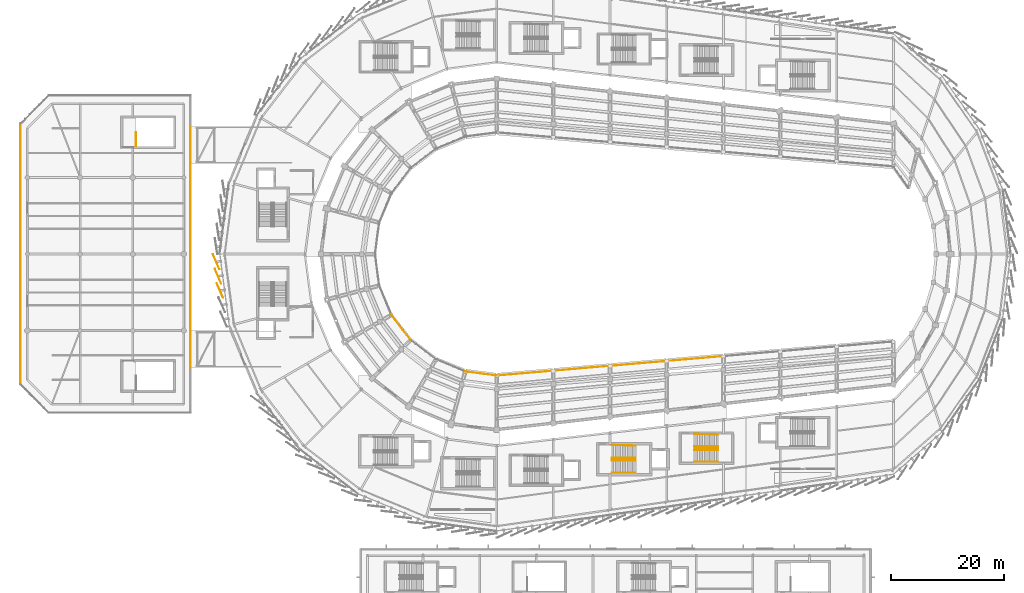
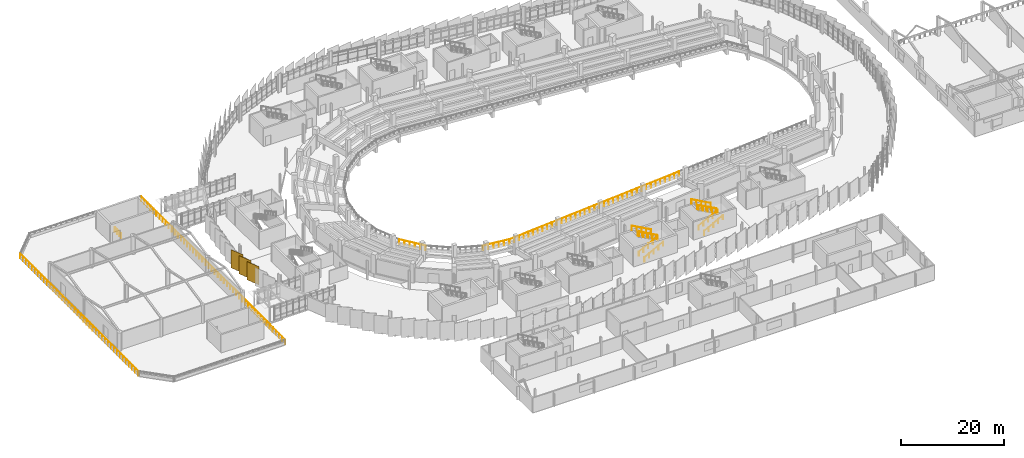
# One storey, part 113 of 120: 19 railings, 3 coverings.
"""IFC4 building model written with IfcOpenShell, lengths in metres."""

from ifc_helpers import new_model, si_unit, direction, frame, origin, origin_2d, place, context, subcontext, project, spatial, rectangle, circle, extrude, material, layer, layer_set, type_object, element, save


model = new_model("IFC4")

# Units and contexts
model_context = context("Model", 3, precision=1e-05, world=origin(), true_north=direction((0.0, 1.0)))
body_context = subcontext(model_context, "Body", "Model", "MODEL_VIEW")
ifc_project = project(units=[si_unit("LENGTHUNIT", "METRE"), si_unit("AREAUNIT", "SQUARE_METRE"), si_unit("VOLUMEUNIT", "CUBIC_METRE"), si_unit("PLANEANGLEUNIT", "RADIAN"), si_unit("MASSUNIT", "GRAM", prefix="KILO")], contexts=[model_context])

# Site, building, storey
site_placement = place(None, origin())
site = spatial("IfcSite", under=ifc_project, at=site_placement, CompositionType="ELEMENT")
building_placement = place(site_placement, origin())
building = spatial("IfcBuilding", under=site, at=building_placement, Name="Sohan Crest Arena", CompositionType="ELEMENT")
storey_placement = place(building_placement, frame((0.0, 0.0, 13.5)))
storey = spatial("IfcBuildingStorey", under=building, at=storey_placement, Name="L03", CompositionType="ELEMENT", Elevation=13.5)

# Railings
ifc_material_1 = material(Name="Powder-coated wrought steel balustrade", Category="steel")
railing_type_1 = type_object("IfcRailingType", Name="ARC-GRD-01", PredefinedType="GUARDRAIL", material=ifc_material_1)
railing_1_placement = place(storey_placement, frame((122.530029296875, 41.800048828125, 2.25)))
element("IfcRailing", 1, at=railing_1_placement, inside=storey, type_object=railing_type_1, Name="Stair well slot guard GRD-044", PredefinedType="GUARDRAIL", context=body_context, shape_type="SweptSolid", body=[
    extrude(circle(Radius=0.02392578125, at=origin_2d()), frame((0.0, 0.0, 1.076171875), z_axis=(-0.87313487534, 0.0, 0.487478706678), x_axis=(0.0, -1.0, 0.0)), (0.0, 0.0, 1.0), 4.615478515625),
    extrude(circle(Radius=0.02099609375, at=origin_2d()), origin(), (0.0, 0.0, 1.0), 1.052001953125),
    extrude(circle(Radius=0.02099609375, at=origin_2d()), frame((-1.007568359375, 0.0, 0.5625)), (0.0, 0.0, 1.0), 1.052001953125),
    extrude(circle(Radius=0.02099609375, at=origin_2d()), frame((-2.01513671875, 0.0, 1.125)), (0.0, 0.0, 1.0), 1.052001953125),
    extrude(circle(Radius=0.02099609375, at=origin_2d()), frame((-3.0224609375, 0.0, 1.6875)), (0.0, 0.0, 1.0), 1.052001953125),
    extrude(circle(Radius=0.02099609375, at=origin_2d()), frame((-4.030029296875, 0.0, 2.25)), (0.0, 0.0, 1.0), 1.052001953125),
])
railing_2_placement = place(storey_placement, frame((34.3701171875, 97.02001953125, 0.0)))
element("IfcRailing", 2, at=railing_2_placement, inside=storey, type_object=railing_type_1, Name="Top stair landing well guard GRD-078", PredefinedType="GUARDRAIL", context=body_context, shape_type="SweptSolid", body=[
    extrude(circle(Radius=0.02392578125, at=origin_2d()), frame((0.0, 0.0, 1.076171875), z_axis=(0.0, 1.0, 0.0), x_axis=(-1.0, 0.0, 0.0)), (0.0, 0.0, 1.0), 2.4599609375),
    extrude(circle(Radius=0.02099609375, at=origin_2d()), origin(), (0.0, 0.0, 1.0), 1.052001953125),
    extrude(circle(Radius=0.02099609375, at=origin_2d()), frame((0.0, 0.820068359375, 0.0)), (0.0, 0.0, 1.0), 1.052001953125),
    extrude(circle(Radius=0.02099609375, at=origin_2d()), frame((0.0, 1.639892578125, 0.0)), (0.0, 0.0, 1.0), 1.052001953125),
    extrude(circle(Radius=0.02099609375, at=origin_2d()), frame((0.0, 2.4599609375, 0.0)), (0.0, 0.0, 1.0), 1.052001953125),
])
railing_3_placement = place(storey_placement, frame((137.030029296875, 43.75, 2.25)))
element("IfcRailing", 3, at=railing_3_placement, inside=storey, type_object=railing_type_1, Name="Stair well slot guard GRD-115", PredefinedType="GUARDRAIL", context=body_context, shape_type="SweptSolid", body=[
    extrude(circle(Radius=0.02392578125, at=origin_2d()), frame((0.0, 0.0, 1.076171875), z_axis=(-0.87313487534, 0.0, 0.487478706678), x_axis=(0.0, -1.0, 0.0)), (0.0, 0.0, 1.0), 4.615478515625),
    extrude(circle(Radius=0.02099609375, at=origin_2d()), origin(), (0.0, 0.0, 1.0), 1.052001953125),
    extrude(circle(Radius=0.02099609375, at=origin_2d()), frame((-1.007568359375, 0.0, 0.5625)), (0.0, 0.0, 1.0), 1.052001953125),
    extrude(circle(Radius=0.02099609375, at=origin_2d()), frame((-2.01513671875, 0.0, 1.125)), (0.0, 0.0, 1.0), 1.052001953125),
    extrude(circle(Radius=0.02099609375, at=origin_2d()), frame((-3.0224609375, 0.0, 1.6875)), (0.0, 0.0, 1.0), 1.052001953125),
    extrude(circle(Radius=0.02099609375, at=origin_2d()), frame((-4.030029296875, 0.0, 2.25)), (0.0, 0.0, 1.0), 1.052001953125),
])
railing_4_placement = place(storey_placement, frame((44.0, 50.0400390625, 0.0)))
element("IfcRailing", 4, at=railing_4_placement, inside=storey, type_object=railing_type_1, Name="Foyer roof garden balustrade GRD-295", PredefinedType="GUARDRAIL", context=body_context, shape_type="SweptSolid", body=[
    extrude(circle(Radius=0.02392578125, at=origin_2d()), frame((0.0, 0.0, 1.076171875), z_axis=(0.0, 1.0, 0.0), x_axis=(-1.0, 0.0, 0.0)), (0.0, 0.0, 1.0), 55.919921875),
    extrude(circle(Radius=0.02099609375, at=origin_2d()), origin(), (0.0, 0.0, 1.0), 1.052001953125),
    extrude(circle(Radius=0.02099609375, at=origin_2d()), frame((0.0, 1.189697265625, 0.0)), (0.0, 0.0, 1.0), 1.052001953125),
    extrude(circle(Radius=0.02099609375, at=origin_2d()), frame((0.0, 2.379638671875, 0.0)), (0.0, 0.0, 1.0), 1.052001953125),
    extrude(circle(Radius=0.02099609375, at=origin_2d()), frame((0.0, 3.5693359375, 0.0)), (0.0, 0.0, 1.0), 1.052001953125),
    extrude(circle(Radius=0.02099609375, at=origin_2d()), frame((0.0, 4.759033203125, 0.0)), (0.0, 0.0, 1.0), 1.052001953125),
    extrude(circle(Radius=0.02099609375, at=origin_2d()), frame((0.0, 5.948974609375, 0.0)), (0.0, 0.0, 1.0), 1.052001953125),
    extrude(circle(Radius=0.02099609375, at=origin_2d()), frame((0.0, 7.138671875, 0.0)), (0.0, 0.0, 1.0), 1.052001953125),
    extrude(circle(Radius=0.02099609375, at=origin_2d()), frame((0.0, 8.32861328125, 0.0)), (0.0, 0.0, 1.0), 1.052001953125),
    extrude(circle(Radius=0.02099609375, at=origin_2d()), frame((0.0, 9.518310546875, 0.0)), (0.0, 0.0, 1.0), 1.052001953125),
    extrude(circle(Radius=0.02099609375, at=origin_2d()), frame((0.0, 10.7080078125, 0.0)), (0.0, 0.0, 1.0), 1.052001953125),
    extrude(circle(Radius=0.02099609375, at=origin_2d()), frame((0.0, 11.89794921875, 0.0)), (0.0, 0.0, 1.0), 1.052001953125),
    extrude(circle(Radius=0.02099609375, at=origin_2d()), frame((0.0, 13.087646484375, 0.0)), (0.0, 0.0, 1.0), 1.052001953125),
    extrude(circle(Radius=0.02099609375, at=origin_2d()), frame((0.0, 14.27734375, 0.0)), (0.0, 0.0, 1.0), 1.052001953125),
    extrude(circle(Radius=0.02099609375, at=origin_2d()), frame((0.0, 15.46728515625, 0.0)), (0.0, 0.0, 1.0), 1.052001953125),
    extrude(circle(Radius=0.02099609375, at=origin_2d()), frame((0.0, 16.656982421875, 0.0)), (0.0, 0.0, 1.0), 1.052001953125),
    extrude(circle(Radius=0.02099609375, at=origin_2d()), frame((0.0, 17.8466796875, 0.0)), (0.0, 0.0, 1.0), 1.052001953125),
    extrude(circle(Radius=0.02099609375, at=origin_2d()), frame((0.0, 19.03662109375, 0.0)), (0.0, 0.0, 1.0), 1.052001953125),
    extrude(circle(Radius=0.02099609375, at=origin_2d()), frame((0.0, 20.226318359375, 0.0)), (0.0, 0.0, 1.0), 1.052001953125),
    extrude(circle(Radius=0.02099609375, at=origin_2d()), frame((0.0, 21.416259765625, 0.0)), (0.0, 0.0, 1.0), 1.052001953125),
    extrude(circle(Radius=0.02099609375, at=origin_2d()), frame((0.0, 22.60595703125, 0.0)), (0.0, 0.0, 1.0), 1.052001953125),
    extrude(circle(Radius=0.02099609375, at=origin_2d()), frame((0.0, 23.795654296875, 0.0)), (0.0, 0.0, 1.0), 1.052001953125),
    extrude(circle(Radius=0.02099609375, at=origin_2d()), frame((0.0, 24.985595703125, 0.0)), (0.0, 0.0, 1.0), 1.052001953125),
    extrude(circle(Radius=0.02099609375, at=origin_2d()), frame((0.0, 26.17529296875, 0.0)), (0.0, 0.0, 1.0), 1.052001953125),
    extrude(circle(Radius=0.02099609375, at=origin_2d()), frame((0.0, 27.364990234375, 0.0)), (0.0, 0.0, 1.0), 1.052001953125),
    extrude(circle(Radius=0.02099609375, at=origin_2d()), frame((0.0, 28.554931640625, 0.0)), (0.0, 0.0, 1.0), 1.052001953125),
    extrude(circle(Radius=0.02099609375, at=origin_2d()), frame((0.0, 29.74462890625, 0.0)), (0.0, 0.0, 1.0), 1.052001953125),
    extrude(circle(Radius=0.02099609375, at=origin_2d()), frame((0.0, 30.934326171875, 0.0)), (0.0, 0.0, 1.0), 1.052001953125),
    extrude(circle(Radius=0.02099609375, at=origin_2d()), frame((0.0, 32.124267578125, 0.0)), (0.0, 0.0, 1.0), 1.052001953125),
    extrude(circle(Radius=0.02099609375, at=origin_2d()), frame((0.0, 33.31396484375, 0.0)), (0.0, 0.0, 1.0), 1.052001953125),
    extrude(circle(Radius=0.02099609375, at=origin_2d()), frame((0.0, 34.503662109375, 0.0)), (0.0, 0.0, 1.0), 1.052001953125),
    extrude(circle(Radius=0.02099609375, at=origin_2d()), frame((0.0, 35.693603515625, 0.0)), (0.0, 0.0, 1.0), 1.052001953125),
    extrude(circle(Radius=0.02099609375, at=origin_2d()), frame((0.0, 36.88330078125, 0.0)), (0.0, 0.0, 1.0), 1.052001953125),
    extrude(circle(Radius=0.02099609375, at=origin_2d()), frame((0.0, 38.0732421875, 0.0)), (0.0, 0.0, 1.0), 1.052001953125),
    extrude(circle(Radius=0.02099609375, at=origin_2d()), frame((0.0, 39.262939453125, 0.0)), (0.0, 0.0, 1.0), 1.052001953125),
    extrude(circle(Radius=0.02099609375, at=origin_2d()), frame((0.0, 40.45263671875, 0.0)), (0.0, 0.0, 1.0), 1.052001953125),
    extrude(circle(Radius=0.02099609375, at=origin_2d()), frame((0.0, 41.642578125, 0.0)), (0.0, 0.0, 1.0), 1.052001953125),
    extrude(circle(Radius=0.02099609375, at=origin_2d()), frame((0.0, 42.832275390625, 0.0)), (0.0, 0.0, 1.0), 1.052001953125),
    extrude(circle(Radius=0.02099609375, at=origin_2d()), frame((0.0, 44.02197265625, 0.0)), (0.0, 0.0, 1.0), 1.052001953125),
    extrude(circle(Radius=0.02099609375, at=origin_2d()), frame((0.0, 45.2119140625, 0.0)), (0.0, 0.0, 1.0), 1.052001953125),
    extrude(circle(Radius=0.02099609375, at=origin_2d()), frame((0.0, 46.401611328125, 0.0)), (0.0, 0.0, 1.0), 1.052001953125),
    extrude(circle(Radius=0.02099609375, at=origin_2d()), frame((0.0, 47.59130859375, 0.0)), (0.0, 0.0, 1.0), 1.052001953125),
    extrude(circle(Radius=0.02099609375, at=origin_2d()), frame((0.0, 48.78125, 0.0)), (0.0, 0.0, 1.0), 1.052001953125),
    extrude(circle(Radius=0.02099609375, at=origin_2d()), frame((0.0, 49.970947265625, 0.0)), (0.0, 0.0, 1.0), 1.052001953125),
    extrude(circle(Radius=0.02099609375, at=origin_2d()), frame((0.0, 51.160888671875, 0.0)), (0.0, 0.0, 1.0), 1.052001953125),
    extrude(circle(Radius=0.02099609375, at=origin_2d()), frame((0.0, 52.3505859375, 0.0)), (0.0, 0.0, 1.0), 1.052001953125),
    extrude(circle(Radius=0.02099609375, at=origin_2d()), frame((0.0, 53.540283203125, 0.0)), (0.0, 0.0, 1.0), 1.052001953125),
    extrude(circle(Radius=0.02099609375, at=origin_2d()), frame((0.0, 54.730224609375, 0.0)), (0.0, 0.0, 1.0), 1.052001953125),
    extrude(circle(Radius=0.02099609375, at=origin_2d()), frame((0.0, 55.919921875, 0.0)), (0.0, 0.0, 1.0), 1.052001953125),
])
railing_5_placement = place(storey_placement, frame((14.0, 100.9599609375, 0.0)))
element("IfcRailing", 5, at=railing_5_placement, inside=storey, type_object=railing_type_1, Name="Foyer roof garden balustrade GRD-298", PredefinedType="GUARDRAIL", context=body_context, shape_type="SweptSolid", body=[
    extrude(circle(Radius=0.02392578125, at=origin_2d()), frame((0.0, 0.0, 1.076171875), z_axis=(0.0, -1.0, 0.0), x_axis=(1.0, 0.0, 0.0)), (0.0, 0.0, 1.0), 45.919921875),
    extrude(circle(Radius=0.02099609375, at=origin_2d()), origin(), (0.0, 0.0, 1.0), 1.052001953125),
    extrude(circle(Radius=0.02099609375, at=origin_2d()), frame((0.0, -1.177490234375, 0.0)), (0.0, 0.0, 1.0), 1.052001953125),
    extrude(circle(Radius=0.02099609375, at=origin_2d()), frame((0.0, -2.35498046875, 0.0)), (0.0, 0.0, 1.0), 1.052001953125),
    extrude(circle(Radius=0.02099609375, at=origin_2d()), frame((0.0, -3.5322265625, 0.0)), (0.0, 0.0, 1.0), 1.052001953125),
    extrude(circle(Radius=0.02099609375, at=origin_2d()), frame((0.0, -4.709716796875, 0.0)), (0.0, 0.0, 1.0), 1.052001953125),
    extrude(circle(Radius=0.02099609375, at=origin_2d()), frame((0.0, -5.88720703125, 0.0)), (0.0, 0.0, 1.0), 1.052001953125),
    extrude(circle(Radius=0.02099609375, at=origin_2d()), frame((0.0, -7.064697265625, 0.0)), (0.0, 0.0, 1.0), 1.052001953125),
    extrude(circle(Radius=0.02099609375, at=origin_2d()), frame((0.0, -8.241943359375, 0.0)), (0.0, 0.0, 1.0), 1.052001953125),
    extrude(circle(Radius=0.02099609375, at=origin_2d()), frame((0.0, -9.41943359375, 0.0)), (0.0, 0.0, 1.0), 1.052001953125),
    extrude(circle(Radius=0.02099609375, at=origin_2d()), frame((0.0, -10.596923828125, 0.0)), (0.0, 0.0, 1.0), 1.052001953125),
    extrude(circle(Radius=0.02099609375, at=origin_2d()), frame((0.0, -11.7744140625, 0.0)), (0.0, 0.0, 1.0), 1.052001953125),
    extrude(circle(Radius=0.02099609375, at=origin_2d()), frame((0.0, -12.95166015625, 0.0)), (0.0, 0.0, 1.0), 1.052001953125),
    extrude(circle(Radius=0.02099609375, at=origin_2d()), frame((0.0, -14.129150390625, 0.0)), (0.0, 0.0, 1.0), 1.052001953125),
    extrude(circle(Radius=0.02099609375, at=origin_2d()), frame((0.0, -15.306640625, 0.0)), (0.0, 0.0, 1.0), 1.052001953125),
    extrude(circle(Radius=0.02099609375, at=origin_2d()), frame((0.0, -16.484130859375, 0.0)), (0.0, 0.0, 1.0), 1.052001953125),
    extrude(circle(Radius=0.02099609375, at=origin_2d()), frame((0.0, -17.66162109375, 0.0)), (0.0, 0.0, 1.0), 1.052001953125),
    extrude(circle(Radius=0.02099609375, at=origin_2d()), frame((0.0, -18.8388671875, 0.0)), (0.0, 0.0, 1.0), 1.052001953125),
    extrude(circle(Radius=0.02099609375, at=origin_2d()), frame((0.0, -20.016357421875, 0.0)), (0.0, 0.0, 1.0), 1.052001953125),
    extrude(circle(Radius=0.02099609375, at=origin_2d()), frame((0.0, -21.19384765625, 0.0)), (0.0, 0.0, 1.0), 1.052001953125),
    extrude(circle(Radius=0.02099609375, at=origin_2d()), frame((0.0, -22.371337890625, 0.0)), (0.0, 0.0, 1.0), 1.052001953125),
    extrude(circle(Radius=0.02099609375, at=origin_2d()), frame((0.0, -23.548583984375, 0.0)), (0.0, 0.0, 1.0), 1.052001953125),
    extrude(circle(Radius=0.02099609375, at=origin_2d()), frame((0.0, -24.72607421875, 0.0)), (0.0, 0.0, 1.0), 1.052001953125),
    extrude(circle(Radius=0.02099609375, at=origin_2d()), frame((0.0, -25.903564453125, 0.0)), (0.0, 0.0, 1.0), 1.052001953125),
    extrude(circle(Radius=0.02099609375, at=origin_2d()), frame((0.0, -27.0810546875, 0.0)), (0.0, 0.0, 1.0), 1.052001953125),
    extrude(circle(Radius=0.02099609375, at=origin_2d()), frame((0.0, -28.25830078125, 0.0)), (0.0, 0.0, 1.0), 1.052001953125),
    extrude(circle(Radius=0.02099609375, at=origin_2d()), frame((0.0, -29.435791015625, 0.0)), (0.0, 0.0, 1.0), 1.052001953125),
    extrude(circle(Radius=0.02099609375, at=origin_2d()), frame((0.0, -30.61328125, 0.0)), (0.0, 0.0, 1.0), 1.052001953125),
    extrude(circle(Radius=0.02099609375, at=origin_2d()), frame((0.0, -31.790771484375, 0.0)), (0.0, 0.0, 1.0), 1.052001953125),
    extrude(circle(Radius=0.02099609375, at=origin_2d()), frame((0.0, -32.96826171875, 0.0)), (0.0, 0.0, 1.0), 1.052001953125),
    extrude(circle(Radius=0.02099609375, at=origin_2d()), frame((0.0, -34.1455078125, 0.0)), (0.0, 0.0, 1.0), 1.052001953125),
    extrude(circle(Radius=0.02099609375, at=origin_2d()), frame((0.0, -35.322998046875, 0.0)), (0.0, 0.0, 1.0), 1.052001953125),
    extrude(circle(Radius=0.02099609375, at=origin_2d()), frame((0.0, -36.50048828125, 0.0)), (0.0, 0.0, 1.0), 1.052001953125),
    extrude(circle(Radius=0.02099609375, at=origin_2d()), frame((0.0, -37.677978515625, 0.0)), (0.0, 0.0, 1.0), 1.052001953125),
    extrude(circle(Radius=0.02099609375, at=origin_2d()), frame((0.0, -38.855224609375, 0.0)), (0.0, 0.0, 1.0), 1.052001953125),
    extrude(circle(Radius=0.02099609375, at=origin_2d()), frame((0.0, -40.03271484375, 0.0)), (0.0, 0.0, 1.0), 1.052001953125),
    extrude(circle(Radius=0.02099609375, at=origin_2d()), frame((0.0, -41.210205078125, 0.0)), (0.0, 0.0, 1.0), 1.052001953125),
    extrude(circle(Radius=0.02099609375, at=origin_2d()), frame((0.0, -42.3876953125, 0.0)), (0.0, 0.0, 1.0), 1.052001953125),
    extrude(circle(Radius=0.02099609375, at=origin_2d()), frame((0.0, -43.56494140625, 0.0)), (0.0, 0.0, 1.0), 1.052001953125),
    extrude(circle(Radius=0.02099609375, at=origin_2d()), frame((0.0, -44.742431640625, 0.0)), (0.0, 0.0, 1.0), 1.052001953125),
    extrude(circle(Radius=0.02099609375, at=origin_2d()), frame((0.0, -45.919921875, 0.0)), (0.0, 0.0, 1.0), 1.052001953125),
])
ifc_material_2 = material(Name="Laminated glass and steel sightline guard", Category="steel")
railing_type_2 = type_object("IfcRailingType", Name="ARC-GRD-02", PredefinedType="GUARDRAIL", material=ifc_material_2)
railing_6_placement = place(storey_placement, frame((79.447998046875, 67.242919921875, 0.85009765625)))
element("IfcRailing", 6, at=railing_6_placement, inside=storey, type_object=railing_type_2, Name="Upper tier cantilevered sightline guard GRD-165", PredefinedType="GUARDRAIL", context=body_context, shape_type="SweptSolid", body=[
    extrude(circle(Radius=0.02392578125, at=origin_2d()), frame((0.0, 0.0, 1.1259765625), z_axis=(0.608964438732, -0.793197524177, 0.0), x_axis=(0.793197524177, 0.608964438732, 0.0)), (0.0, 0.0, 1.0), 5.519287109375),
    extrude(circle(Radius=0.02099609375, at=origin_2d()), origin(), (0.0, 0.0, 1.0), 1.101806640625),
    extrude(circle(Radius=0.02099609375, at=origin_2d()), frame((0.672119140625, -0.87548828125, 0.0)), (0.0, 0.0, 1.0), 1.101806640625),
    extrude(circle(Radius=0.02099609375, at=origin_2d()), frame((1.344482421875, -1.751220703125, 0.0)), (0.0, 0.0, 1.0), 1.101806640625),
    extrude(circle(Radius=0.02099609375, at=origin_2d()), frame((2.0166015625, -2.626708984375, 0.0)), (0.0, 0.0, 1.0), 1.101806640625),
    extrude(circle(Radius=0.02099609375, at=origin_2d()), frame((2.68896484375, -3.50244140625, 0.0)), (0.0, 0.0, 1.0), 1.101806640625),
    extrude(circle(Radius=0.02099609375, at=origin_2d()), frame((3.361083984375, -4.3779296875, 0.0)), (0.0, 0.0, 1.0), 1.101806640625),
])
railing_7_placement = place(storey_placement, frame((92.488037109375, 57.27587890625, 0.85009765625)))
element("IfcRailing", 7, at=railing_7_placement, inside=storey, type_object=railing_type_2, Name="Upper tier cantilevered sightline guard GRD-168", PredefinedType="GUARDRAIL", context=body_context, shape_type="SweptSolid", body=[
    extrude(circle(Radius=0.02392578125, at=origin_2d()), frame((0.0, 0.0, 1.1259765625), z_axis=(0.991431847367, -0.130625005366, 0.0), x_axis=(0.130625005366, 0.991431847367, 0.0)), (0.0, 0.0, 1.0), 5.519287109375),
    extrude(circle(Radius=0.02099609375, at=origin_2d()), origin(), (0.0, 0.0, 1.0), 1.101806640625),
    extrude(circle(Radius=0.02099609375, at=origin_2d()), frame((1.094482421875, -0.144287109375, 0.0)), (0.0, 0.0, 1.0), 1.101806640625),
    extrude(circle(Radius=0.02099609375, at=origin_2d()), frame((2.188720703125, -0.288330078125, 0.0)), (0.0, 0.0, 1.0), 1.101806640625),
    extrude(circle(Radius=0.02099609375, at=origin_2d()), frame((3.283203125, -0.4326171875, 0.0)), (0.0, 0.0, 1.0), 1.101806640625),
    extrude(circle(Radius=0.02099609375, at=origin_2d()), frame((4.37744140625, -0.57666015625, 0.0)), (0.0, 0.0, 1.0), 1.101806640625),
    extrude(circle(Radius=0.02099609375, at=origin_2d()), frame((5.471923828125, -0.720947265625, 0.0)), (0.0, 0.0, 1.0), 1.101806640625),
])
for number, where, name in (
    (8, (98.0400390625, 56.552978515625, 0.85009765625), "Upper tier cantilevered sightline guard GRD-169"),
    (9, (108.0400390625, 57.409912109375, 0.85009765625), "Upper tier cantilevered sightline guard GRD-170"),
):
    element("IfcRailing", number, at=place(storey_placement, frame(where)), inside=storey, type_object=railing_type_2, Name=name, PredefinedType="GUARDRAIL", context=body_context, shape_type="SweptSolid", body=[
        extrude(circle(Radius=0.02392578125, at=origin_2d()), frame((0.0, 0.0, 1.1259765625), z_axis=(0.996339849936, 0.085480427173, 0.0), x_axis=(-0.085480427173, 0.996339849936, 0.0)), (0.0, 0.0, 1.0), 9.956298828125),
        extrude(circle(Radius=0.02099609375, at=origin_2d()), origin(), (0.0, 0.0, 1.0), 1.101806640625),
        extrude(circle(Radius=0.02099609375, at=origin_2d()), frame((1.102294921875, 0.094482421875, 0.0)), (0.0, 0.0, 1.0), 1.101806640625),
        extrude(circle(Radius=0.02099609375, at=origin_2d()), frame((2.204345703125, 0.189208984375, 0.0)), (0.0, 0.0, 1.0), 1.101806640625),
        extrude(circle(Radius=0.02099609375, at=origin_2d()), frame((3.306640625, 0.28369140625, 0.0)), (0.0, 0.0, 1.0), 1.101806640625),
        extrude(circle(Radius=0.02099609375, at=origin_2d()), frame((4.408935546875, 0.378173828125, 0.0)), (0.0, 0.0, 1.0), 1.101806640625),
        extrude(circle(Radius=0.02099609375, at=origin_2d()), frame((5.510986328125, 0.472900390625, 0.0)), (0.0, 0.0, 1.0), 1.101806640625),
        extrude(circle(Radius=0.02099609375, at=origin_2d()), frame((6.61328125, 0.5673828125, 0.0)), (0.0, 0.0, 1.0), 1.101806640625),
        extrude(circle(Radius=0.02099609375, at=origin_2d()), frame((7.715576171875, 0.661865234375, 0.0)), (0.0, 0.0, 1.0), 1.101806640625),
        extrude(circle(Radius=0.02099609375, at=origin_2d()), frame((8.817626953125, 0.756591796875, 0.0)), (0.0, 0.0, 1.0), 1.101806640625),
        extrude(circle(Radius=0.02099609375, at=origin_2d()), frame((9.919921875, 0.85107421875, 0.0)), (0.0, 0.0, 1.0), 1.101806640625),
    ])
railing_8_placement = place(storey_placement, frame((118.0400390625, 58.26708984375, 0.85009765625)))
element("IfcRailing", 10, at=railing_8_placement, inside=storey, type_object=railing_type_2, Name="Upper tier cantilevered sightline guard GRD-171", PredefinedType="GUARDRAIL", context=body_context, shape_type="SweptSolid", body=[
    extrude(circle(Radius=0.02392578125, at=origin_2d()), frame((0.0, 0.0, 1.1259765625), z_axis=(0.996341938042, 0.085456085206, 0.0), x_axis=(-0.085456085206, 0.996341938042, 0.0)), (0.0, 0.0, 1.0), 9.956298828125),
    extrude(circle(Radius=0.02099609375, at=origin_2d()), origin(), (0.0, 0.0, 1.0), 1.101806640625),
    extrude(circle(Radius=0.02099609375, at=origin_2d()), frame((1.102294921875, 0.094482421875, 0.0)), (0.0, 0.0, 1.0), 1.101806640625),
    extrude(circle(Radius=0.02099609375, at=origin_2d()), frame((2.204345703125, 0.18896484375, 0.0)), (0.0, 0.0, 1.0), 1.101806640625),
    extrude(circle(Radius=0.02099609375, at=origin_2d()), frame((3.306640625, 0.28369140625, 0.0)), (0.0, 0.0, 1.0), 1.101806640625),
    extrude(circle(Radius=0.02099609375, at=origin_2d()), frame((4.408935546875, 0.378173828125, 0.0)), (0.0, 0.0, 1.0), 1.101806640625),
    extrude(circle(Radius=0.02099609375, at=origin_2d()), frame((5.510986328125, 0.47265625, 0.0)), (0.0, 0.0, 1.0), 1.101806640625),
    extrude(circle(Radius=0.02099609375, at=origin_2d()), frame((6.61328125, 0.567138671875, 0.0)), (0.0, 0.0, 1.0), 1.101806640625),
    extrude(circle(Radius=0.02099609375, at=origin_2d()), frame((7.715576171875, 0.661865234375, 0.0)), (0.0, 0.0, 1.0), 1.101806640625),
    extrude(circle(Radius=0.02099609375, at=origin_2d()), frame((8.817626953125, 0.75634765625, 0.0)), (0.0, 0.0, 1.0), 1.101806640625),
    extrude(circle(Radius=0.02099609375, at=origin_2d()), frame((9.919921875, 0.850830078125, 0.0)), (0.0, 0.0, 1.0), 1.101806640625),
])
railing_9_placement = place(storey_placement, frame((128.0400390625, 59.1240234375, 0.85009765625)))
element("IfcRailing", 11, at=railing_9_placement, inside=storey, type_object=railing_type_2, Name="Upper tier cantilevered sightline guard GRD-172", PredefinedType="GUARDRAIL", context=body_context, shape_type="SweptSolid", body=[
    extrude(circle(Radius=0.02392578125, at=origin_2d()), frame((0.0, 0.0, 1.1259765625), z_axis=(0.996331491652, 0.085577793509, 0.0), x_axis=(-0.085577793509, 0.996331491652, 0.0)), (0.0, 0.0, 1.0), 9.95654296875),
    extrude(circle(Radius=0.02099609375, at=origin_2d()), origin(), (0.0, 0.0, 1.0), 1.101806640625),
    extrude(circle(Radius=0.02099609375, at=origin_2d()), frame((1.102294921875, 0.0947265625, 0.0)), (0.0, 0.0, 1.0), 1.101806640625),
    extrude(circle(Radius=0.02099609375, at=origin_2d()), frame((2.204345703125, 0.189453125, 0.0)), (0.0, 0.0, 1.0), 1.101806640625),
    extrude(circle(Radius=0.02099609375, at=origin_2d()), frame((3.306640625, 0.283935546875, 0.0)), (0.0, 0.0, 1.0), 1.101806640625),
    extrude(circle(Radius=0.02099609375, at=origin_2d()), frame((4.408935546875, 0.378662109375, 0.0)), (0.0, 0.0, 1.0), 1.101806640625),
    extrude(circle(Radius=0.02099609375, at=origin_2d()), frame((5.510986328125, 0.473388671875, 0.0)), (0.0, 0.0, 1.0), 1.101806640625),
    extrude(circle(Radius=0.02099609375, at=origin_2d()), frame((6.61328125, 0.568115234375, 0.0)), (0.0, 0.0, 1.0), 1.101806640625),
    extrude(circle(Radius=0.02099609375, at=origin_2d()), frame((7.715576171875, 0.66259765625, 0.0)), (0.0, 0.0, 1.0), 1.101806640625),
    extrude(circle(Radius=0.02099609375, at=origin_2d()), frame((8.817626953125, 0.75732421875, 0.0)), (0.0, 0.0, 1.0), 1.101806640625),
    extrude(circle(Radius=0.02099609375, at=origin_2d()), frame((9.919921875, 0.85205078125, 0.0)), (0.0, 0.0, 1.0), 1.101806640625),
])
ifc_material_3 = material(Name="Brushed stainless steel stair handrail", Category="steel")
railing_type_3 = type_object("IfcRailingType", Name="ARC-HR-01", PredefinedType="HANDRAIL", material=ifc_material_3)
for number, where, name in (
    (12, (118.35009765625, 39.409912109375, 0.0), "Stair pitch handrail HR-149"),
    (13, (118.35009765625, 41.590087890625, 0.0), "Stair pitch handrail HR-150"),
):
    element("IfcRailing", number, at=place(storey_placement, frame(where)), inside=storey, type_object=railing_type_3, Name=name, PredefinedType="HANDRAIL", context=body_context, shape_type="SweptSolid", body=[
        extrude(circle(Radius=0.02392578125, at=origin_2d()), frame((0.0, 0.0, 0.97607421875), z_axis=(0.881477684796, 0.0, 0.472225678258), x_axis=(0.0, 1.0, 0.0)), (0.0, 0.0, 1.0), 4.7646484375),
        extrude(circle(Radius=0.02099609375, at=origin_2d()), origin(), (0.0, 0.0, 1.0), 0.951904296875),
        extrude(circle(Radius=0.02099609375, at=origin_2d()), frame((1.050048828125, 0.0, 0.5625)), (0.0, 0.0, 1.0), 0.951904296875),
        extrude(circle(Radius=0.02099609375, at=origin_2d()), frame((2.10009765625, 0.0, 1.125)), (0.0, 0.0, 1.0), 0.951904296875),
        extrude(circle(Radius=0.02099609375, at=origin_2d()), frame((3.14990234375, 0.0, 1.6875)), (0.0, 0.0, 1.0), 0.951904296875),
        extrude(circle(Radius=0.02099609375, at=origin_2d()), frame((4.199951171875, 0.0, 2.25)), (0.0, 0.0, 1.0), 0.951904296875),
    ])
railing_10_placement = place(storey_placement, frame((122.550048828125, 42.010009765625, 2.25)))
element("IfcRailing", 14, at=railing_10_placement, inside=storey, type_object=railing_type_3, Name="Stair pitch handrail HR-151", PredefinedType="HANDRAIL", context=body_context, shape_type="SweptSolid", body=[
    extrude(circle(Radius=0.02392578125, at=origin_2d()), frame((0.0, 0.0, 0.97607421875), z_axis=(-0.881477684796, 0.0, 0.472225678258), x_axis=(0.0, -1.0, 0.0)), (0.0, 0.0, 1.0), 4.7646484375),
    extrude(circle(Radius=0.02099609375, at=origin_2d()), origin(), (0.0, 0.0, 1.0), 0.951904296875),
    extrude(circle(Radius=0.02099609375, at=origin_2d()), frame((-1.050048828125, 0.0, 0.5625)), (0.0, 0.0, 1.0), 0.951904296875),
    extrude(circle(Radius=0.02099609375, at=origin_2d()), frame((-2.10009765625, 0.0, 1.125)), (0.0, 0.0, 1.0), 0.951904296875),
    extrude(circle(Radius=0.02099609375, at=origin_2d()), frame((-3.14990234375, 0.0, 1.6875)), (0.0, 0.0, 1.0), 0.951904296875),
    extrude(circle(Radius=0.02099609375, at=origin_2d()), frame((-4.199951171875, 0.0, 2.25)), (0.0, 0.0, 1.0), 0.951904296875),
])
railing_11_placement = place(storey_placement, frame((122.550048828125, 44.18994140625, 2.25)))
element("IfcRailing", 15, at=railing_11_placement, inside=storey, type_object=railing_type_3, Name="Stair pitch handrail HR-152", PredefinedType="HANDRAIL", context=body_context, shape_type="SweptSolid", body=[
    extrude(circle(Radius=0.02392578125, at=origin_2d()), frame((0.0, 0.0, 0.97607421875), z_axis=(-0.881197710057, 0.025201957411, 0.472075690047), x_axis=(-0.028587973606, -0.999591280357, 0.0)), (0.0, 0.0, 1.0), 4.76611328125),
    extrude(circle(Radius=0.02099609375, at=origin_2d()), origin(), (0.0, 0.0, 1.0), 0.951904296875),
    extrude(circle(Radius=0.02099609375, at=origin_2d()), frame((-1.050048828125, 0.030029296875, 0.5625)), (0.0, 0.0, 1.0), 0.951904296875),
    extrude(circle(Radius=0.02099609375, at=origin_2d()), frame((-2.10009765625, 0.06005859375, 1.125)), (0.0, 0.0, 1.0), 0.951904296875),
    extrude(circle(Radius=0.02099609375, at=origin_2d()), frame((-3.14990234375, 0.090087890625, 1.6875)), (0.0, 0.0, 1.0), 0.951904296875),
    extrude(circle(Radius=0.02099609375, at=origin_2d()), frame((-4.199951171875, 0.1201171875, 2.25)), (0.0, 0.0, 1.0), 0.951904296875),
])
for number, where, name in (
    (16, (132.85009765625, 41.360107421875, 0.0), "Stair pitch handrail HR-377"),
    (17, (132.85009765625, 43.43994140625, 0.0), "Stair pitch handrail HR-378"),
):
    element("IfcRailing", number, at=place(storey_placement, frame(where)), inside=storey, type_object=railing_type_3, Name=name, PredefinedType="HANDRAIL", context=body_context, shape_type="SweptSolid", body=[
        extrude(circle(Radius=0.02392578125, at=origin_2d()), frame((0.0, 0.0, 0.97607421875), z_axis=(0.881477684796, 0.0, 0.472225678258), x_axis=(0.0, 1.0, 0.0)), (0.0, 0.0, 1.0), 4.7646484375),
        extrude(circle(Radius=0.02099609375, at=origin_2d()), origin(), (0.0, 0.0, 1.0), 0.951904296875),
        extrude(circle(Radius=0.02099609375, at=origin_2d()), frame((1.050048828125, 0.0, 0.5625)), (0.0, 0.0, 1.0), 0.951904296875),
        extrude(circle(Radius=0.02099609375, at=origin_2d()), frame((2.10009765625, 0.0, 1.125)), (0.0, 0.0, 1.0), 0.951904296875),
        extrude(circle(Radius=0.02099609375, at=origin_2d()), frame((3.14990234375, 0.0, 1.6875)), (0.0, 0.0, 1.0), 0.951904296875),
        extrude(circle(Radius=0.02099609375, at=origin_2d()), frame((4.199951171875, 0.0, 2.25)), (0.0, 0.0, 1.0), 0.951904296875),
    ])
railing_12_placement = place(storey_placement, frame((137.050048828125, 44.06005859375, 2.25)))
element("IfcRailing", 18, at=railing_12_placement, inside=storey, type_object=railing_type_3, Name="Stair pitch handrail HR-379", PredefinedType="HANDRAIL", context=body_context, shape_type="SweptSolid", body=[
    extrude(circle(Radius=0.02392578125, at=origin_2d()), frame((0.0, 0.0, 0.97607421875), z_axis=(-0.881477684796, 0.0, 0.472225678258), x_axis=(0.0, -1.0, 0.0)), (0.0, 0.0, 1.0), 4.7646484375),
    extrude(circle(Radius=0.02099609375, at=origin_2d()), origin(), (0.0, 0.0, 1.0), 0.951904296875),
    extrude(circle(Radius=0.02099609375, at=origin_2d()), frame((-1.050048828125, 0.0, 0.5625)), (0.0, 0.0, 1.0), 0.951904296875),
    extrude(circle(Radius=0.02099609375, at=origin_2d()), frame((-2.10009765625, 0.0, 1.125)), (0.0, 0.0, 1.0), 0.951904296875),
    extrude(circle(Radius=0.02099609375, at=origin_2d()), frame((-3.14990234375, 0.0, 1.6875)), (0.0, 0.0, 1.0), 0.951904296875),
    extrude(circle(Radius=0.02099609375, at=origin_2d()), frame((-4.199951171875, 0.0, 2.25)), (0.0, 0.0, 1.0), 0.951904296875),
])
railing_13_placement = place(storey_placement, frame((137.050048828125, 46.139892578125, 2.25)))
element("IfcRailing", 19, at=railing_13_placement, inside=storey, type_object=railing_type_3, Name="Stair pitch handrail HR-380", PredefinedType="HANDRAIL", context=body_context, shape_type="SweptSolid", body=[
    extrude(circle(Radius=0.02392578125, at=origin_2d()), frame((0.0, 0.0, 0.97607421875), z_axis=(-0.881197710057, 0.025201957411, 0.472075690047), x_axis=(-0.028587973606, -0.999591280357, 0.0)), (0.0, 0.0, 1.0), 4.76611328125),
    extrude(circle(Radius=0.02099609375, at=origin_2d()), origin(), (0.0, 0.0, 1.0), 0.951904296875),
    extrude(circle(Radius=0.02099609375, at=origin_2d()), frame((-1.050048828125, 0.030029296875, 0.5625)), (0.0, 0.0, 1.0), 0.951904296875),
    extrude(circle(Radius=0.02099609375, at=origin_2d()), frame((-2.10009765625, 0.06005859375, 1.125)), (0.0, 0.0, 1.0), 0.951904296875),
    extrude(circle(Radius=0.02099609375, at=origin_2d()), frame((-3.14990234375, 0.090087890625, 1.6875)), (0.0, 0.0, 1.0), 0.951904296875),
    extrude(circle(Radius=0.02099609375, at=origin_2d()), frame((-4.199951171875, 0.1201171875, 2.25)), (0.0, 0.0, 1.0), 0.951904296875),
])

# Coverings
ifc_material_4 = material(Name="Glazed ivory trencadis ceramic cladding", Category="masonry")
ifc_layer = layer(ifc_material_4, 0.06494140625, Name="Glazed ivory trencadis ceramic cladding")
ifc_layer_set = layer_set([ifc_layer], Name="Glazed ivory trencadis ceramic cladding")
covering_type = type_object("IfcCoveringType", Name="COV-SC-IV", PredefinedType="CLADDING", material=ifc_layer_set)
for number, where, z_axis, x_axis, name in (
    (20, (48.512939453125, 76.635009765625, -0.2001953125), (0.0, 0.0, 1.0), (0.398749068925, -0.917060074385, 0.0), "Rotated trencadis ceramic scale panel SC-0286"),
    (21, (48.845947265625, 74.10400390625, -0.2001953125), (0.0, 0.0, 1.0), (0.398749068925, -0.917060074385, 0.0), "Rotated trencadis ceramic scale panel SC-0287"),
    (22, (49.179931640625, 71.572998046875, -0.2001953125), (0.0, 0.0, 1.0), (0.398749068925, -0.917060074385, 0.0), "Rotated trencadis ceramic scale panel SC-0288"),
):
    element("IfcCovering", number, at=place(storey_placement, frame(where, z_axis=z_axis, x_axis=x_axis)), inside=storey, type_object=covering_type, Name=name, PredefinedType="CLADDING", context=body_context, shape_type="SweptSolid", body=[
        extrude(rectangle(XDim=2.85009765625, YDim=0.06494140625, at=origin_2d()), origin(), (0.0, 0.0, 1.0), 4.300048828125),
    ])

save(model, "model.ifc")
